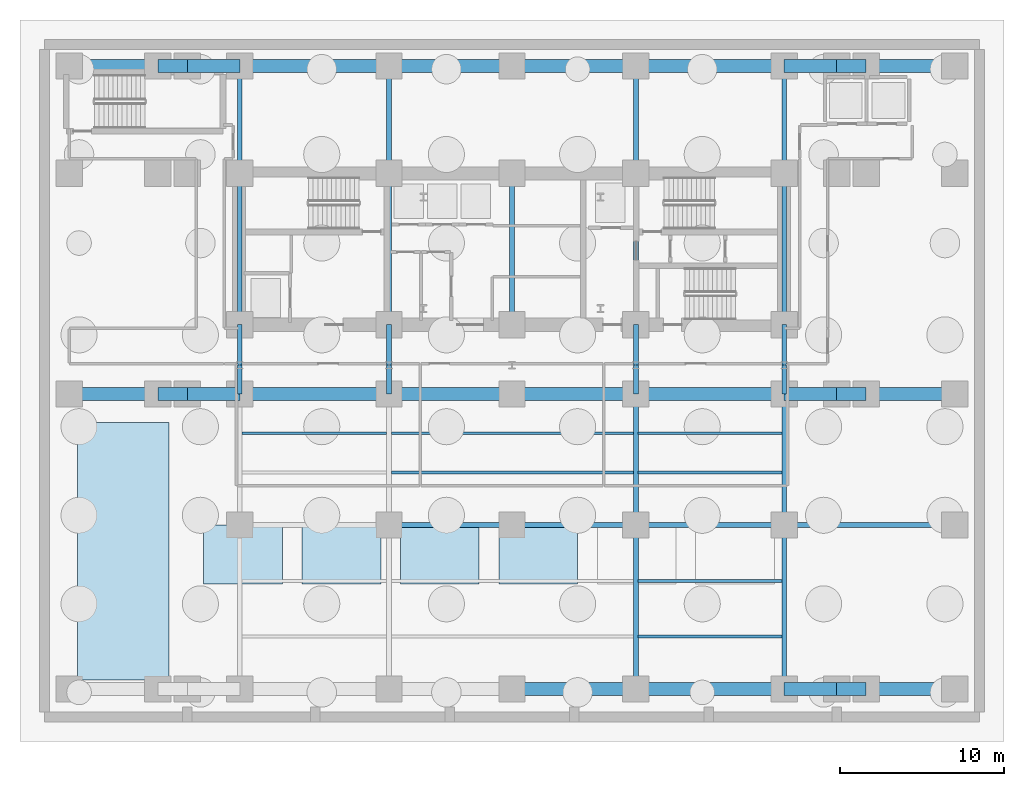
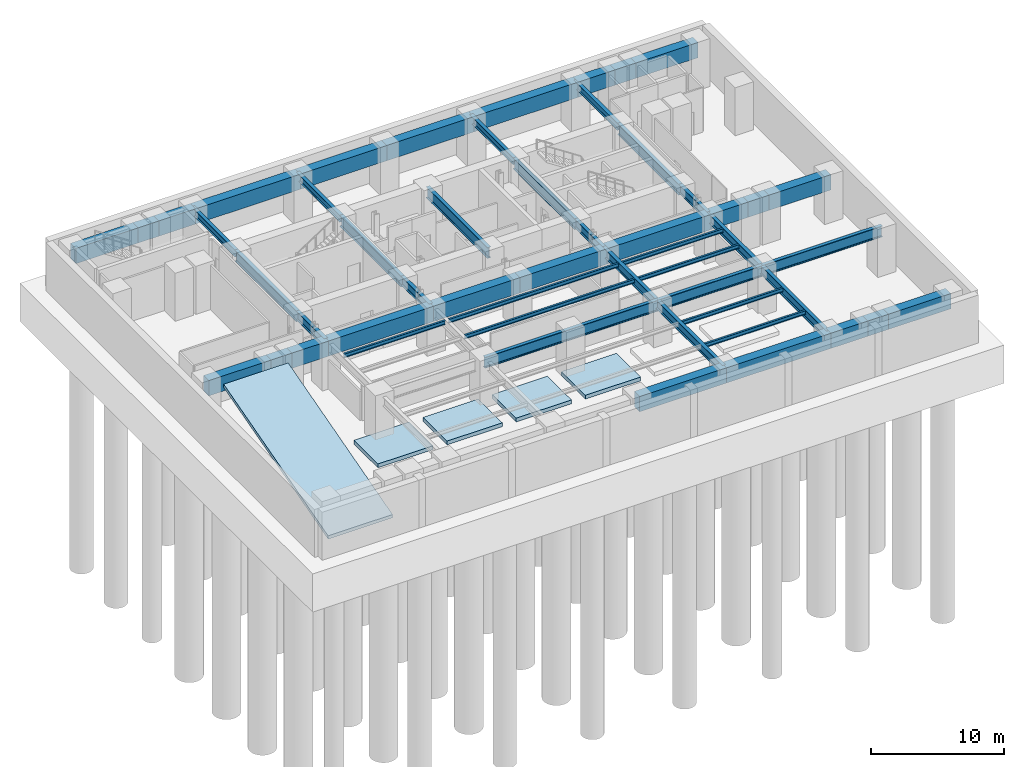
# One storey, part 2 of 9: 56 beams, 5 slabs.
"""IFC4 building model written with IfcOpenShell, lengths in metres."""

from ifc_helpers import new_model, si_unit, direction, frame, origin, origin_2d, place, context, subcontext, project, spatial, polyline, rectangle, i_section, outline, extrude, material, layer, layer_set, material_profile, profile_set, type_object, element, save


model = new_model("IFC4")

# Units and contexts
model_context = context("Model", 3, precision=1e-05, world=origin(), true_north=direction((0.0, 1.0)))
body_context = subcontext(model_context, "Body", "Model", "MODEL_VIEW")
ifc_project = project(units=[si_unit("LENGTHUNIT", "METRE"), si_unit("AREAUNIT", "SQUARE_METRE"), si_unit("VOLUMEUNIT", "CUBIC_METRE"), si_unit("PLANEANGLEUNIT", "RADIAN"), si_unit("MASSUNIT", "GRAM", prefix="KILO")], contexts=[model_context])

# Site, building, storey
site_placement = place(None, origin())
site = spatial("IfcSite", under=ifc_project, at=site_placement, CompositionType="ELEMENT")
building_placement = place(site_placement, origin())
building = spatial("IfcBuilding", under=site, at=building_placement, Name="Zarnavel Station Tower", CompositionType="ELEMENT")
storey_placement = place(building_placement, frame((0.0, 0.0, -13.199951171875)))
storey = spatial("IfcBuildingStorey", under=building, at=storey_placement, Name="B03", CompositionType="ELEMENT", Elevation=-13.199951171875)

# Beams
ifc_material_1 = material(Name="Steel S355J2", Category="steel")
ifc_material_profile_1 = material_profile(ifc_material_1, i_section(OverallWidth=0.300048828125, OverallDepth=0.64990234375, WebThickness=0.01611328125, FlangeThickness=0.031005859375, FilletRadius=0.027099609375, at=origin_2d()), Name="HEB650")
ifc_profile_set_1 = profile_set([ifc_material_profile_1], Name="Steel S355J2")
beam_type_1 = type_object("IfcBeamType", Name="FG_HEB650", PredefinedType="USERDEFINED", material=ifc_profile_set_1)
for number, where, z_axis, x_axis, name in (
    (1, (12.199951171875, 37.050048828125, 3.7548828125), (0.0, 1.0, 0.0), (-1.0, 0.0, 0.0), "B03 NS Girder North 1"),
    (2, (21.300048828125, 37.050048828125, 3.7548828125), (0.0, 1.0, 0.0), (-1.0, 0.0, 0.0), "B03 NS Girder North 2"),
    (3, (36.35009765625, 37.050048828125, 3.7548828125), (0.0, 1.0, 0.0), (-1.0, 0.0, 0.0), "B03 NS Girder North 3"),
    (4, (45.39990234375, 37.050048828125, 3.7548828125), (0.0, 1.0, 0.0), (-1.0, 0.0, 0.0), "B03 NS Girder North 4"),
):
    element("IfcBeam", number, at=place(storey_placement, frame(where, z_axis=z_axis, x_axis=x_axis)), inside=storey, type_object=beam_type_1, Name=name, ObjectType="GIRDER", PredefinedType="USERDEFINED", context=body_context, shape_type="SweptSolid", body=[
        extrude(i_section(OverallWidth=0.300048828125, OverallDepth=0.64990234375, WebThickness=0.01611328125, FlangeThickness=0.031005859375, FilletRadius=0.027099609375, at=origin_2d()), origin(), (0.0, 0.0, 1.0), 6.550048828125),
    ])
ifc_material_2 = material(Name="Steel S460M", Category="steel")
ifc_material_profile_2 = material_profile(ifc_material_2, i_section(OverallWidth=0.302978515625, OverallDepth=0.81396484375, WebThickness=0.02099609375, FlangeThickness=0.0400390625, FilletRadius=0.030029296875, at=origin_2d()), Name="HEM800")
ifc_profile_set_2 = profile_set([ifc_material_profile_2], Name="Steel S460M")
beam_type_2 = type_object("IfcBeamType", Name="FG_HEM800", PredefinedType="USERDEFINED", material=ifc_profile_set_2)
beam_1_placement = place(storey_placement, frame((12.199951171875, 23.60009765625, 3.6728515625), z_axis=(0.0, 1.0, 0.0), x_axis=(-1.0, 0.0, 0.0)))
element("IfcBeam", 5, at=beam_1_placement, inside=storey, type_object=beam_type_2, Name="B03 NS Girder Spine 1", ObjectType="GIRDER", PredefinedType="USERDEFINED", context=body_context, shape_type="SweptSolid", body=[
    extrude(i_section(OverallWidth=0.302978515625, OverallDepth=0.81396484375, WebThickness=0.02099609375, FlangeThickness=0.0400390625, FilletRadius=0.030029296875, at=origin_2d()), origin(), (0.0, 0.0, 1.0), 1.75),
])
beam_2_placement = place(storey_placement, frame((12.199951171875, 25.35009765625, 3.6728515625), z_axis=(0.0, 1.0, 0.0), x_axis=(-1.0, 0.0, 0.0)))
element("IfcBeam", 6, at=beam_2_placement, inside=storey, type_object=beam_type_2, Name="B03 NS Girder Core 1", ObjectType="GIRDER", PredefinedType="USERDEFINED", context=body_context, shape_type="SweptSolid", body=[
    extrude(i_section(OverallWidth=0.302978515625, OverallDepth=0.81396484375, WebThickness=0.02099609375, FlangeThickness=0.0400390625, FilletRadius=0.030029296875, at=origin_2d()), origin(), (0.0, 0.0, 1.0), 2.469970703125),
])
beam_3_placement = place(storey_placement, frame((21.300048828125, 23.60009765625, 3.6728515625), z_axis=(0.0, 1.0, 0.0), x_axis=(-1.0, 0.0, 0.0)))
element("IfcBeam", 7, at=beam_3_placement, inside=storey, type_object=beam_type_2, Name="B03 NS Girder Spine 2", ObjectType="GIRDER", PredefinedType="USERDEFINED", context=body_context, shape_type="SweptSolid", body=[
    extrude(i_section(OverallWidth=0.302978515625, OverallDepth=0.81396484375, WebThickness=0.02099609375, FlangeThickness=0.0400390625, FilletRadius=0.030029296875, at=origin_2d()), origin(), (0.0, 0.0, 1.0), 1.75),
])
beam_4_placement = place(storey_placement, frame((21.300048828125, 25.35009765625, 3.6728515625), z_axis=(0.0, 1.0, 0.0), x_axis=(-1.0, 0.0, 0.0)))
element("IfcBeam", 8, at=beam_4_placement, inside=storey, type_object=beam_type_2, Name="B03 NS Girder Core 2", ObjectType="GIRDER", PredefinedType="USERDEFINED", context=body_context, shape_type="SweptSolid", body=[
    extrude(i_section(OverallWidth=0.302978515625, OverallDepth=0.81396484375, WebThickness=0.02099609375, FlangeThickness=0.0400390625, FilletRadius=0.030029296875, at=origin_2d()), origin(), (0.0, 0.0, 1.0), 2.469970703125),
])
beam_5_placement = place(storey_placement, frame((36.35009765625, 5.60009765625, 3.6728515625), z_axis=(0.0, 1.0, 0.0), x_axis=(-1.0, 0.0, 0.0)))
element("IfcBeam", 9, at=beam_5_placement, inside=storey, type_object=beam_type_2, Name="B03 NS Girder South 3", ObjectType="GIRDER", PredefinedType="USERDEFINED", context=body_context, shape_type="SweptSolid", body=[
    extrude(i_section(OverallWidth=0.302978515625, OverallDepth=0.81396484375, WebThickness=0.02099609375, FlangeThickness=0.0400390625, FilletRadius=0.030029296875, at=origin_2d()), origin(), (0.0, 0.0, 1.0), 10.0),
])
beam_6_placement = place(storey_placement, frame((36.35009765625, 15.60009765625, 3.6728515625), z_axis=(0.0, 1.0, 0.0), x_axis=(-1.0, 0.0, 0.0)))
element("IfcBeam", 10, at=beam_6_placement, inside=storey, type_object=beam_type_2, Name="B03 NS Girder Mid 3", ObjectType="GIRDER", PredefinedType="USERDEFINED", context=body_context, shape_type="SweptSolid", body=[
    extrude(i_section(OverallWidth=0.302978515625, OverallDepth=0.81396484375, WebThickness=0.02099609375, FlangeThickness=0.0400390625, FilletRadius=0.030029296875, at=origin_2d()), origin(), (0.0, 0.0, 1.0), 8.0),
])
beam_7_placement = place(storey_placement, frame((36.35009765625, 23.60009765625, 3.6728515625), z_axis=(0.0, 1.0, 0.0), x_axis=(-1.0, 0.0, 0.0)))
element("IfcBeam", 11, at=beam_7_placement, inside=storey, type_object=beam_type_2, Name="B03 NS Girder Spine 3", ObjectType="GIRDER", PredefinedType="USERDEFINED", context=body_context, shape_type="SweptSolid", body=[
    extrude(i_section(OverallWidth=0.302978515625, OverallDepth=0.81396484375, WebThickness=0.02099609375, FlangeThickness=0.0400390625, FilletRadius=0.030029296875, at=origin_2d()), origin(), (0.0, 0.0, 1.0), 1.75),
])
beam_8_placement = place(storey_placement, frame((36.35009765625, 25.35009765625, 3.6728515625), z_axis=(0.0, 1.0, 0.0), x_axis=(-1.0, 0.0, 0.0)))
element("IfcBeam", 12, at=beam_8_placement, inside=storey, type_object=beam_type_2, Name="B03 NS Girder Core 3", ObjectType="GIRDER", PredefinedType="USERDEFINED", context=body_context, shape_type="SweptSolid", body=[
    extrude(i_section(OverallWidth=0.302978515625, OverallDepth=0.81396484375, WebThickness=0.02099609375, FlangeThickness=0.0400390625, FilletRadius=0.030029296875, at=origin_2d()), origin(), (0.0, 0.0, 1.0), 2.469970703125),
])
beam_9_placement = place(storey_placement, frame((45.39990234375, 5.60009765625, 3.6728515625), z_axis=(0.0, 1.0, 0.0), x_axis=(-1.0, 0.0, 0.0)))
element("IfcBeam", 13, at=beam_9_placement, inside=storey, type_object=beam_type_2, Name="B03 NS Girder South 4", ObjectType="GIRDER", PredefinedType="USERDEFINED", context=body_context, shape_type="SweptSolid", body=[
    extrude(i_section(OverallWidth=0.302978515625, OverallDepth=0.81396484375, WebThickness=0.02099609375, FlangeThickness=0.0400390625, FilletRadius=0.030029296875, at=origin_2d()), origin(), (0.0, 0.0, 1.0), 10.0),
])
beam_10_placement = place(storey_placement, frame((45.39990234375, 15.60009765625, 3.6728515625), z_axis=(0.0, 1.0, 0.0), x_axis=(-1.0, 0.0, 0.0)))
element("IfcBeam", 14, at=beam_10_placement, inside=storey, type_object=beam_type_2, Name="B03 NS Girder Mid 4", ObjectType="GIRDER", PredefinedType="USERDEFINED", context=body_context, shape_type="SweptSolid", body=[
    extrude(i_section(OverallWidth=0.302978515625, OverallDepth=0.81396484375, WebThickness=0.02099609375, FlangeThickness=0.0400390625, FilletRadius=0.030029296875, at=origin_2d()), origin(), (0.0, 0.0, 1.0), 8.0),
])
beam_11_placement = place(storey_placement, frame((45.39990234375, 23.60009765625, 3.6728515625), z_axis=(0.0, 1.0, 0.0), x_axis=(-1.0, 0.0, 0.0)))
element("IfcBeam", 15, at=beam_11_placement, inside=storey, type_object=beam_type_2, Name="B03 NS Girder Spine 4", ObjectType="GIRDER", PredefinedType="USERDEFINED", context=body_context, shape_type="SweptSolid", body=[
    extrude(i_section(OverallWidth=0.302978515625, OverallDepth=0.81396484375, WebThickness=0.02099609375, FlangeThickness=0.0400390625, FilletRadius=0.030029296875, at=origin_2d()), origin(), (0.0, 0.0, 1.0), 1.75),
])
beam_12_placement = place(storey_placement, frame((45.39990234375, 25.35009765625, 3.6728515625), z_axis=(0.0, 1.0, 0.0), x_axis=(-1.0, 0.0, 0.0)))
element("IfcBeam", 16, at=beam_12_placement, inside=storey, type_object=beam_type_2, Name="B03 NS Girder Core 4", ObjectType="GIRDER", PredefinedType="USERDEFINED", context=body_context, shape_type="SweptSolid", body=[
    extrude(i_section(OverallWidth=0.302978515625, OverallDepth=0.81396484375, WebThickness=0.02099609375, FlangeThickness=0.0400390625, FilletRadius=0.030029296875, at=origin_2d()), origin(), (0.0, 0.0, 1.0), 2.469970703125),
])
ifc_material_3 = material(Name="Concrete C45/55", Category="concrete")
ifc_material_profile_3 = material_profile(ifc_material_3, rectangle(XDim=0.800048828125, YDim=1.39990234375, at=origin_2d()), Name="RC800x1400")
ifc_profile_set_3 = profile_set([ifc_material_profile_3], Name="Concrete C45/55")
beam_type_3 = type_object("IfcBeamType", Name="FG_RC800x1400", PredefinedType="USERDEFINED", material=ifc_profile_set_3)
beam_13_placement = place(storey_placement, frame((28.800048828125, 5.60009765625, 3.3798828125), z_axis=(1.0, 0.0, 0.0), x_axis=(0.0, 1.0, 0.0)))
element("IfcBeam", 17, at=beam_13_placement, inside=storey, type_object=beam_type_3, Name="B03 EW Frame Girder 1-6", ObjectType="GIRDER", PredefinedType="USERDEFINED", context=body_context, shape_type="SweptSolid", body=[
    extrude(rectangle(XDim=0.800048828125, YDim=1.39990234375, at=origin_2d()), origin(), (0.0, 0.0, 1.0), 7.550048828125),
])
beam_14_placement = place(storey_placement, frame((36.35009765625, 5.60009765625, 3.3798828125), z_axis=(1.0, 0.0, 0.0), x_axis=(0.0, 1.0, 0.0)))
element("IfcBeam", 18, at=beam_14_placement, inside=storey, type_object=beam_type_3, Name="B03 EW Frame Girder 1-7", ObjectType="GIRDER", PredefinedType="USERDEFINED", context=body_context, shape_type="SweptSolid", body=[
    extrude(rectangle(XDim=0.800048828125, YDim=1.39990234375, at=origin_2d()), origin(), (0.0, 0.0, 1.0), 9.0498046875),
])
beam_15_placement = place(storey_placement, frame((45.39990234375, 5.60009765625, 3.3798828125), z_axis=(1.0, 0.0, 0.0), x_axis=(0.0, 1.0, 0.0)))
element("IfcBeam", 19, at=beam_15_placement, inside=storey, type_object=beam_type_3, Name="B03 EW Frame Girder 1-8", ObjectType="GIRDER", PredefinedType="USERDEFINED", context=body_context, shape_type="SweptSolid", body=[
    extrude(rectangle(XDim=0.800048828125, YDim=1.39990234375, at=origin_2d()), origin(), (0.0, 0.0, 1.0), 3.2001953125),
])
beam_16_placement = place(storey_placement, frame((48.60009765625, 5.60009765625, 3.3798828125), z_axis=(1.0, 0.0, 0.0), x_axis=(0.0, 1.0, 0.0)))
element("IfcBeam", 20, at=beam_16_placement, inside=storey, type_object=beam_type_3, Name="B03 EW Frame Girder 1-9", ObjectType="GIRDER", PredefinedType="USERDEFINED", context=body_context, shape_type="SweptSolid", body=[
    extrude(rectangle(XDim=0.800048828125, YDim=1.39990234375, at=origin_2d()), origin(), (0.0, 0.0, 1.0), 1.7998046875),
])
beam_17_placement = place(storey_placement, frame((50.39990234375, 5.60009765625, 3.3798828125), z_axis=(1.0, 0.0, 0.0), x_axis=(0.0, 1.0, 0.0)))
element("IfcBeam", 21, at=beam_17_placement, inside=storey, type_object=beam_type_3, Name="B03 EW Frame Girder 1-10", ObjectType="GIRDER", PredefinedType="USERDEFINED", context=body_context, shape_type="SweptSolid", body=[
    extrude(rectangle(XDim=0.800048828125, YDim=1.39990234375, at=origin_2d()), origin(), (0.0, 0.0, 1.0), 5.400146484375),
])
beam_18_placement = place(storey_placement, frame((1.800048828125, 23.60009765625, 3.3798828125), z_axis=(1.0, 0.0, 0.0), x_axis=(0.0, 1.0, 0.0)))
element("IfcBeam", 22, at=beam_18_placement, inside=storey, type_object=beam_type_3, Name="B03 EW Frame Girder 2-1", ObjectType="GIRDER", PredefinedType="USERDEFINED", context=body_context, shape_type="SweptSolid", body=[
    extrude(rectangle(XDim=0.800048828125, YDim=1.39990234375, at=origin_2d()), origin(), (0.0, 0.0, 1.0), 5.39990234375),
])
beam_19_placement = place(storey_placement, frame((7.199951171875, 23.60009765625, 3.3798828125), z_axis=(1.0, 0.0, 0.0), x_axis=(0.0, 1.0, 0.0)))
element("IfcBeam", 23, at=beam_19_placement, inside=storey, type_object=beam_type_3, Name="B03 EW Frame Girder 2-2", ObjectType="GIRDER", PredefinedType="USERDEFINED", context=body_context, shape_type="SweptSolid", body=[
    extrude(rectangle(XDim=0.800048828125, YDim=1.39990234375, at=origin_2d()), origin(), (0.0, 0.0, 1.0), 1.800048828125),
])
beam_20_placement = place(storey_placement, frame((9.0, 23.60009765625, 3.3798828125), z_axis=(1.0, 0.0, 0.0), x_axis=(0.0, 1.0, 0.0)))
element("IfcBeam", 24, at=beam_20_placement, inside=storey, type_object=beam_type_3, Name="B03 EW Frame Girder 2-3", ObjectType="GIRDER", PredefinedType="USERDEFINED", context=body_context, shape_type="SweptSolid", body=[
    extrude(rectangle(XDim=0.800048828125, YDim=1.39990234375, at=origin_2d()), origin(), (0.0, 0.0, 1.0), 3.199951171875),
])
beam_21_placement = place(storey_placement, frame((12.199951171875, 23.60009765625, 3.3798828125), z_axis=(1.0, 0.0, 0.0), x_axis=(0.0, 1.0, 0.0)))
element("IfcBeam", 25, at=beam_21_placement, inside=storey, type_object=beam_type_3, Name="B03 EW Frame Girder 2-4", ObjectType="GIRDER", PredefinedType="USERDEFINED", context=body_context, shape_type="SweptSolid", body=[
    extrude(rectangle(XDim=0.800048828125, YDim=1.39990234375, at=origin_2d()), origin(), (0.0, 0.0, 1.0), 9.10009765625),
])
beam_22_placement = place(storey_placement, frame((21.300048828125, 23.60009765625, 3.3798828125), z_axis=(1.0, 0.0, 0.0), x_axis=(0.0, 1.0, 0.0)))
element("IfcBeam", 26, at=beam_22_placement, inside=storey, type_object=beam_type_3, Name="B03 EW Frame Girder 2-5", ObjectType="GIRDER", PredefinedType="USERDEFINED", context=body_context, shape_type="SweptSolid", body=[
    extrude(rectangle(XDim=0.800048828125, YDim=1.39990234375, at=origin_2d()), origin(), (0.0, 0.0, 1.0), 7.5),
])
beam_23_placement = place(storey_placement, frame((28.800048828125, 23.60009765625, 3.3798828125), z_axis=(1.0, 0.0, 0.0), x_axis=(0.0, 1.0, 0.0)))
element("IfcBeam", 27, at=beam_23_placement, inside=storey, type_object=beam_type_3, Name="B03 EW Frame Girder 2-6", ObjectType="GIRDER", PredefinedType="USERDEFINED", context=body_context, shape_type="SweptSolid", body=[
    extrude(rectangle(XDim=0.800048828125, YDim=1.39990234375, at=origin_2d()), origin(), (0.0, 0.0, 1.0), 7.550048828125),
])
beam_24_placement = place(storey_placement, frame((36.35009765625, 23.60009765625, 3.3798828125), z_axis=(1.0, 0.0, 0.0), x_axis=(0.0, 1.0, 0.0)))
element("IfcBeam", 28, at=beam_24_placement, inside=storey, type_object=beam_type_3, Name="B03 EW Frame Girder 2-7", ObjectType="GIRDER", PredefinedType="USERDEFINED", context=body_context, shape_type="SweptSolid", body=[
    extrude(rectangle(XDim=0.800048828125, YDim=1.39990234375, at=origin_2d()), origin(), (0.0, 0.0, 1.0), 9.0498046875),
])
beam_25_placement = place(storey_placement, frame((45.39990234375, 23.60009765625, 3.3798828125), z_axis=(1.0, 0.0, 0.0), x_axis=(0.0, 1.0, 0.0)))
element("IfcBeam", 29, at=beam_25_placement, inside=storey, type_object=beam_type_3, Name="B03 EW Frame Girder 2-8", ObjectType="GIRDER", PredefinedType="USERDEFINED", context=body_context, shape_type="SweptSolid", body=[
    extrude(rectangle(XDim=0.800048828125, YDim=1.39990234375, at=origin_2d()), origin(), (0.0, 0.0, 1.0), 3.2001953125),
])
beam_26_placement = place(storey_placement, frame((48.60009765625, 23.60009765625, 3.3798828125), z_axis=(1.0, 0.0, 0.0), x_axis=(0.0, 1.0, 0.0)))
element("IfcBeam", 30, at=beam_26_placement, inside=storey, type_object=beam_type_3, Name="B03 EW Frame Girder 2-9", ObjectType="GIRDER", PredefinedType="USERDEFINED", context=body_context, shape_type="SweptSolid", body=[
    extrude(rectangle(XDim=0.800048828125, YDim=1.39990234375, at=origin_2d()), origin(), (0.0, 0.0, 1.0), 1.7998046875),
])
beam_27_placement = place(storey_placement, frame((50.39990234375, 23.60009765625, 3.3798828125), z_axis=(1.0, 0.0, 0.0), x_axis=(0.0, 1.0, 0.0)))
element("IfcBeam", 31, at=beam_27_placement, inside=storey, type_object=beam_type_3, Name="B03 EW Frame Girder 2-10", ObjectType="GIRDER", PredefinedType="USERDEFINED", context=body_context, shape_type="SweptSolid", body=[
    extrude(rectangle(XDim=0.800048828125, YDim=1.39990234375, at=origin_2d()), origin(), (0.0, 0.0, 1.0), 5.400146484375),
])
beam_28_placement = place(storey_placement, frame((1.800048828125, 43.60009765625, 3.3798828125), z_axis=(1.0, 0.0, 0.0), x_axis=(0.0, 1.0, 0.0)))
element("IfcBeam", 32, at=beam_28_placement, inside=storey, type_object=beam_type_3, Name="B03 EW Frame Girder 3-1", ObjectType="GIRDER", PredefinedType="USERDEFINED", context=body_context, shape_type="SweptSolid", body=[
    extrude(rectangle(XDim=0.800048828125, YDim=1.39990234375, at=origin_2d()), origin(), (0.0, 0.0, 1.0), 5.39990234375),
])
beam_29_placement = place(storey_placement, frame((7.199951171875, 43.60009765625, 3.3798828125), z_axis=(1.0, 0.0, 0.0), x_axis=(0.0, 1.0, 0.0)))
element("IfcBeam", 33, at=beam_29_placement, inside=storey, type_object=beam_type_3, Name="B03 EW Frame Girder 3-2", ObjectType="GIRDER", PredefinedType="USERDEFINED", context=body_context, shape_type="SweptSolid", body=[
    extrude(rectangle(XDim=0.800048828125, YDim=1.39990234375, at=origin_2d()), origin(), (0.0, 0.0, 1.0), 1.800048828125),
])
beam_30_placement = place(storey_placement, frame((9.0, 43.60009765625, 3.3798828125), z_axis=(1.0, 0.0, 0.0), x_axis=(0.0, 1.0, 0.0)))
element("IfcBeam", 34, at=beam_30_placement, inside=storey, type_object=beam_type_3, Name="B03 EW Frame Girder 3-3", ObjectType="GIRDER", PredefinedType="USERDEFINED", context=body_context, shape_type="SweptSolid", body=[
    extrude(rectangle(XDim=0.800048828125, YDim=1.39990234375, at=origin_2d()), origin(), (0.0, 0.0, 1.0), 3.199951171875),
])
beam_31_placement = place(storey_placement, frame((12.199951171875, 43.60009765625, 3.3798828125), z_axis=(1.0, 0.0, 0.0), x_axis=(0.0, 1.0, 0.0)))
element("IfcBeam", 35, at=beam_31_placement, inside=storey, type_object=beam_type_3, Name="B03 EW Frame Girder 3-4", ObjectType="GIRDER", PredefinedType="USERDEFINED", context=body_context, shape_type="SweptSolid", body=[
    extrude(rectangle(XDim=0.800048828125, YDim=1.39990234375, at=origin_2d()), origin(), (0.0, 0.0, 1.0), 9.10009765625),
])
beam_32_placement = place(storey_placement, frame((21.300048828125, 43.60009765625, 3.3798828125), z_axis=(1.0, 0.0, 0.0), x_axis=(0.0, 1.0, 0.0)))
element("IfcBeam", 36, at=beam_32_placement, inside=storey, type_object=beam_type_3, Name="B03 EW Frame Girder 3-5", ObjectType="GIRDER", PredefinedType="USERDEFINED", context=body_context, shape_type="SweptSolid", body=[
    extrude(rectangle(XDim=0.800048828125, YDim=1.39990234375, at=origin_2d()), origin(), (0.0, 0.0, 1.0), 7.5),
])
beam_33_placement = place(storey_placement, frame((28.800048828125, 43.60009765625, 3.3798828125), z_axis=(1.0, 0.0, 0.0), x_axis=(0.0, 1.0, 0.0)))
element("IfcBeam", 37, at=beam_33_placement, inside=storey, type_object=beam_type_3, Name="B03 EW Frame Girder 3-6", ObjectType="GIRDER", PredefinedType="USERDEFINED", context=body_context, shape_type="SweptSolid", body=[
    extrude(rectangle(XDim=0.800048828125, YDim=1.39990234375, at=origin_2d()), origin(), (0.0, 0.0, 1.0), 7.550048828125),
])
beam_34_placement = place(storey_placement, frame((36.35009765625, 43.60009765625, 3.3798828125), z_axis=(1.0, 0.0, 0.0), x_axis=(0.0, 1.0, 0.0)))
element("IfcBeam", 38, at=beam_34_placement, inside=storey, type_object=beam_type_3, Name="B03 EW Frame Girder 3-7", ObjectType="GIRDER", PredefinedType="USERDEFINED", context=body_context, shape_type="SweptSolid", body=[
    extrude(rectangle(XDim=0.800048828125, YDim=1.39990234375, at=origin_2d()), origin(), (0.0, 0.0, 1.0), 9.0498046875),
])
beam_35_placement = place(storey_placement, frame((45.39990234375, 43.60009765625, 3.3798828125), z_axis=(1.0, 0.0, 0.0), x_axis=(0.0, 1.0, 0.0)))
element("IfcBeam", 39, at=beam_35_placement, inside=storey, type_object=beam_type_3, Name="B03 EW Frame Girder 3-8", ObjectType="GIRDER", PredefinedType="USERDEFINED", context=body_context, shape_type="SweptSolid", body=[
    extrude(rectangle(XDim=0.800048828125, YDim=1.39990234375, at=origin_2d()), origin(), (0.0, 0.0, 1.0), 3.2001953125),
])
beam_36_placement = place(storey_placement, frame((48.60009765625, 43.60009765625, 3.3798828125), z_axis=(1.0, 0.0, 0.0), x_axis=(0.0, 1.0, 0.0)))
element("IfcBeam", 40, at=beam_36_placement, inside=storey, type_object=beam_type_3, Name="B03 EW Frame Girder 3-9", ObjectType="GIRDER", PredefinedType="USERDEFINED", context=body_context, shape_type="SweptSolid", body=[
    extrude(rectangle(XDim=0.800048828125, YDim=1.39990234375, at=origin_2d()), origin(), (0.0, 0.0, 1.0), 1.7998046875),
])
beam_37_placement = place(storey_placement, frame((50.39990234375, 43.60009765625, 3.3798828125), z_axis=(1.0, 0.0, 0.0), x_axis=(0.0, 1.0, 0.0)))
element("IfcBeam", 41, at=beam_37_placement, inside=storey, type_object=beam_type_3, Name="B03 EW Frame Girder 3-10", ObjectType="GIRDER", PredefinedType="USERDEFINED", context=body_context, shape_type="SweptSolid", body=[
    extrude(rectangle(XDim=0.800048828125, YDim=1.39990234375, at=origin_2d()), origin(), (0.0, 0.0, 1.0), 5.400146484375),
])
ifc_material_4 = material(Name="Steel S355J2", Category="steel")
ifc_material_profile_4 = material_profile(ifc_material_4, i_section(OverallWidth=0.169921875, OverallDepth=0.360107421875, WebThickness=0.008056640625, FlangeThickness=0.0126953125, FilletRadius=0.01806640625, at=origin_2d()), Name="IPE360")
ifc_profile_set_4 = profile_set([ifc_material_profile_4], Name="Steel S355J2")
beam_type_4 = type_object("IfcBeamType", Name="FJ_IPE360", PredefinedType="JOIST", material=ifc_profile_set_4)
for number, where, z_axis, x_axis, name in (
    (42, (36.4951171875, 8.800048828125, 3.89990234375), (1.0, 0.0, 0.0), (0.0, 1.0, 0.0), "B03 Floor Joist E1"),
    (43, (36.4951171875, 12.199951171875, 3.89990234375), (1.0, 0.0, 0.0), (0.0, 1.0, 0.0), "B03 Floor Joist E2"),
):
    element("IfcBeam", number, at=place(storey_placement, frame(where, z_axis=z_axis, x_axis=x_axis)), inside=storey, type_object=beam_type_4, Name=name, PredefinedType="JOIST", context=body_context, shape_type="SweptSolid", body=[
        extrude(i_section(OverallWidth=0.169921875, OverallDepth=0.360107421875, WebThickness=0.008056640625, FlangeThickness=0.0126953125, FilletRadius=0.01806640625, at=origin_2d()), origin(), (0.0, 0.0, 1.0), 8.759765625),
    ])
beam_38_placement = place(storey_placement, frame((21.445068359375, 18.800048828125, 3.89990234375), z_axis=(1.0, 0.0, 0.0), x_axis=(0.0, 1.0, 0.0)))
element("IfcBeam", 44, at=beam_38_placement, inside=storey, type_object=beam_type_4, Name="B03 Floor Joist M3", PredefinedType="JOIST", context=body_context, shape_type="SweptSolid", body=[
    extrude(i_section(OverallWidth=0.169921875, OverallDepth=0.360107421875, WebThickness=0.008056640625, FlangeThickness=0.0126953125, FilletRadius=0.01806640625, at=origin_2d()), origin(), (0.0, 0.0, 1.0), 14.760009765625),
])
beam_39_placement = place(storey_placement, frame((36.4951171875, 18.800048828125, 3.89990234375), z_axis=(1.0, 0.0, 0.0), x_axis=(0.0, 1.0, 0.0)))
element("IfcBeam", 45, at=beam_39_placement, inside=storey, type_object=beam_type_4, Name="B03 Floor Joist E3", PredefinedType="JOIST", context=body_context, shape_type="SweptSolid", body=[
    extrude(i_section(OverallWidth=0.169921875, OverallDepth=0.360107421875, WebThickness=0.008056640625, FlangeThickness=0.0126953125, FilletRadius=0.01806640625, at=origin_2d()), origin(), (0.0, 0.0, 1.0), 8.759765625),
])
beam_40_placement = place(storey_placement, frame((12.344970703125, 21.199951171875, 3.89990234375), z_axis=(1.0, 0.0, 0.0), x_axis=(0.0, 1.0, 0.0)))
element("IfcBeam", 46, at=beam_40_placement, inside=storey, type_object=beam_type_4, Name="B03 Floor Joist W4", PredefinedType="JOIST", context=body_context, shape_type="SweptSolid", body=[
    extrude(i_section(OverallWidth=0.169921875, OverallDepth=0.360107421875, WebThickness=0.008056640625, FlangeThickness=0.0126953125, FilletRadius=0.01806640625, at=origin_2d()), origin(), (0.0, 0.0, 1.0), 8.81005859375),
])
beam_41_placement = place(storey_placement, frame((21.445068359375, 21.199951171875, 3.89990234375), z_axis=(1.0, 0.0, 0.0), x_axis=(0.0, 1.0, 0.0)))
element("IfcBeam", 47, at=beam_41_placement, inside=storey, type_object=beam_type_4, Name="B03 Floor Joist M4", PredefinedType="JOIST", context=body_context, shape_type="SweptSolid", body=[
    extrude(i_section(OverallWidth=0.169921875, OverallDepth=0.360107421875, WebThickness=0.008056640625, FlangeThickness=0.0126953125, FilletRadius=0.01806640625, at=origin_2d()), origin(), (0.0, 0.0, 1.0), 14.760009765625),
])
beam_42_placement = place(storey_placement, frame((36.4951171875, 21.199951171875, 3.89990234375), z_axis=(1.0, 0.0, 0.0), x_axis=(0.0, 1.0, 0.0)))
element("IfcBeam", 48, at=beam_42_placement, inside=storey, type_object=beam_type_4, Name="B03 Floor Joist E4", PredefinedType="JOIST", context=body_context, shape_type="SweptSolid", body=[
    extrude(i_section(OverallWidth=0.169921875, OverallDepth=0.360107421875, WebThickness=0.008056640625, FlangeThickness=0.0126953125, FilletRadius=0.01806640625, at=origin_2d()), origin(), (0.0, 0.0, 1.0), 8.759765625),
])
ifc_material_5 = material(Name="Steel S460M", Category="steel")
ifc_material_profile_5 = material_profile(ifc_material_5, i_section(OverallWidth=0.302001953125, OverallDepth=1.008056640625, WebThickness=0.02099609375, FlangeThickness=0.0400390625, FilletRadius=0.030029296875, at=origin_2d()), Name="HEM1000")
ifc_profile_set_5 = profile_set([ifc_material_profile_5], Name="Steel S460M")
beam_type_5 = type_object("IfcBeamType", Name="TG_HEM1000", PredefinedType="USERDEFINED", material=ifc_profile_set_5)
for number, where, z_axis, x_axis, name in (
    (49, (12.199951171875, 27.820068359375, 3.575927734375), (0.0, 1.0, 0.0), (-1.0, 0.0, 0.0), "B03 Core Spine Coupling Girder 1"),
    (50, (21.300048828125, 27.820068359375, 3.575927734375), (0.0, 1.0, 0.0), (-1.0, 0.0, 0.0), "B03 Core Spine Coupling Girder 2"),
    (51, (28.800048828125, 27.820068359375, 3.575927734375), (0.0, 1.0, 0.0), (-1.0, 0.0, 0.0), "B03 Core Spine Coupling Girder 3"),
    (52, (36.35009765625, 27.820068359375, 3.575927734375), (0.0, 1.0, 0.0), (-1.0, 0.0, 0.0), "B03 Core Spine Coupling Girder 4"),
    (53, (45.39990234375, 27.820068359375, 3.575927734375), (0.0, 1.0, 0.0), (-1.0, 0.0, 0.0), "B03 Core Spine Coupling Girder 5"),
):
    element("IfcBeam", number, at=place(storey_placement, frame(where, z_axis=z_axis, x_axis=x_axis)), inside=storey, type_object=beam_type_5, Name=name, ObjectType="GIRDER", PredefinedType="USERDEFINED", context=body_context, shape_type="SweptSolid", body=[
        extrude(i_section(OverallWidth=0.302001953125, OverallDepth=1.008056640625, WebThickness=0.02099609375, FlangeThickness=0.0400390625, FilletRadius=0.030029296875, at=origin_2d()), origin(), (0.0, 0.0, 1.0), 9.22998046875),
    ])
beam_43_placement = place(storey_placement, frame((21.300048828125, 15.60009765625, 3.575927734375), z_axis=(1.0, 0.0, 0.0), x_axis=(0.0, 1.0, 0.0)))
element("IfcBeam", 54, at=beam_43_placement, inside=storey, type_object=beam_type_5, Name="B03 Concourse Long-Span Girder", ObjectType="GIRDER", PredefinedType="USERDEFINED", context=body_context, shape_type="SweptSolid", body=[
    extrude(i_section(OverallWidth=0.302001953125, OverallDepth=1.008056640625, WebThickness=0.02099609375, FlangeThickness=0.0400390625, FilletRadius=0.030029296875, at=origin_2d()), origin(), (0.0, 0.0, 1.0), 15.050048828125),
])
beam_44_placement = place(storey_placement, frame((36.35009765625, 15.60009765625, 3.575927734375), z_axis=(1.0, 0.0, 0.0), x_axis=(0.0, 1.0, 0.0)))
element("IfcBeam", 55, at=beam_44_placement, inside=storey, type_object=beam_type_5, Name="B03 East Hall Inner Girder", ObjectType="GIRDER", PredefinedType="USERDEFINED", context=body_context, shape_type="SweptSolid", body=[
    extrude(i_section(OverallWidth=0.302001953125, OverallDepth=1.008056640625, WebThickness=0.02099609375, FlangeThickness=0.0400390625, FilletRadius=0.030029296875, at=origin_2d()), origin(), (0.0, 0.0, 1.0), 9.0498046875),
])
beam_45_placement = place(storey_placement, frame((45.39990234375, 15.60009765625, 3.575927734375), z_axis=(1.0, 0.0, 0.0), x_axis=(0.0, 1.0, 0.0)))
element("IfcBeam", 56, at=beam_45_placement, inside=storey, type_object=beam_type_5, Name="B03 East Hall Outer Girder", ObjectType="GIRDER", PredefinedType="USERDEFINED", context=body_context, shape_type="SweptSolid", body=[
    extrude(i_section(OverallWidth=0.302001953125, OverallDepth=1.008056640625, WebThickness=0.02099609375, FlangeThickness=0.0400390625, FilletRadius=0.030029296875, at=origin_2d()), origin(), (0.0, 0.0, 1.0), 10.400146484375),
])

# Slabs
ifc_material_6 = material(Name="Concrete C45/55", Category="concrete")
ifc_layer_1 = layer(ifc_material_6, 0.35009765625)
ifc_layer_set_1 = layer_set([ifc_layer_1], Name="SL_BASE_350")
slab_type_1 = type_object("IfcSlabType", Name="SL_BASE_350", PredefinedType="BASESLAB", material=ifc_layer_set_1)
slab_1_placement = place(storey_placement, origin())
element("IfcSlab", 57, at=slab_1_placement, inside=storey, type_object=slab_type_1, Name="B03 Equipment Base Plinth Slab 01", PredefinedType="BASESLAB", context=body_context, shape_type="SweptSolid", body=[
    extrude(outline(polyline([(10.0, 12.0), (14.800048828125, 12.0), (14.800048828125, 15.60009765625), (10.0, 15.60009765625), (10.0, 12.0)])), origin(), (0.0, 0.0, 1.0), 0.349853515625),
])
slab_2_placement = place(storey_placement, origin())
element("IfcSlab", 58, at=slab_2_placement, inside=storey, type_object=slab_type_1, Name="B03 Equipment Base Plinth Slab 02", PredefinedType="BASESLAB", context=body_context, shape_type="SweptSolid", body=[
    extrude(outline(polyline([(16.0, 12.0), (20.800048828125, 12.0), (20.800048828125, 15.60009765625), (16.0, 15.60009765625), (16.0, 12.0)])), origin(), (0.0, 0.0, 1.0), 0.349853515625),
])
slab_3_placement = place(storey_placement, origin())
element("IfcSlab", 59, at=slab_3_placement, inside=storey, type_object=slab_type_1, Name="B03 Equipment Base Plinth Slab 03", PredefinedType="BASESLAB", context=body_context, shape_type="SweptSolid", body=[
    extrude(outline(polyline([(22.0, 12.0), (26.800048828125, 12.0), (26.800048828125, 15.60009765625), (22.0, 15.60009765625), (22.0, 12.0)])), origin(), (0.0, 0.0, 1.0), 0.349853515625),
])
slab_4_placement = place(storey_placement, origin())
element("IfcSlab", 60, at=slab_4_placement, inside=storey, type_object=slab_type_1, Name="B03 Equipment Base Plinth Slab 04", PredefinedType="BASESLAB", context=body_context, shape_type="SweptSolid", body=[
    extrude(outline(polyline([(28.0, 12.0), (32.800048828125, 12.0), (32.800048828125, 15.60009765625), (28.0, 15.60009765625), (28.0, 12.0)])), origin(), (0.0, 0.0, 1.0), 0.349853515625),
])
ifc_material_7 = material(Name="Concrete C45/55", Category="concrete")
ifc_material_8 = material(Name="Concrete C45/55", Category="concrete")
ifc_layer_2 = layer(ifc_material_8, 0.300048828125)
ifc_layer_set_2 = layer_set([ifc_layer_2], Name="SL_RMP_300")
slab_type_2 = type_object("IfcSlabType", Name="SL_RMP_300", PredefinedType="USERDEFINED", material=ifc_layer_set_2)
slab_5_placement = place(storey_placement, frame((5.10009765625, 6.14990234375, 0.0), z_axis=(0.0, 0.0, 1.0), x_axis=(0.0, 1.0, 0.0)))
element("IfcSlab", 61, at=slab_5_placement, inside=storey, type_object=slab_type_2, material=ifc_material_7, Name="B03 to B02 Two-Way Vehicle Ramp Structural Slab", ObjectType="VEHICLE_RAMP_SLAB", PredefinedType="USERDEFINED", context=body_context, shape_type="SweptSolid", body=[
    extrude(outline(polyline([(0.0, 0.0), (15.7001953125, 4.39990234375), (15.7001953125, 4.099853515625), (0.0, -0.300048828125), (0.0, 0.0)])), frame((0.0, -2.800048828125, 0.0), z_axis=(0.0, -1.0, 0.0), x_axis=(1.0, 0.0, 0.0)), (0.0, 0.0, -1.0), 5.60009765625),
])

save(model, "model.ifc")
